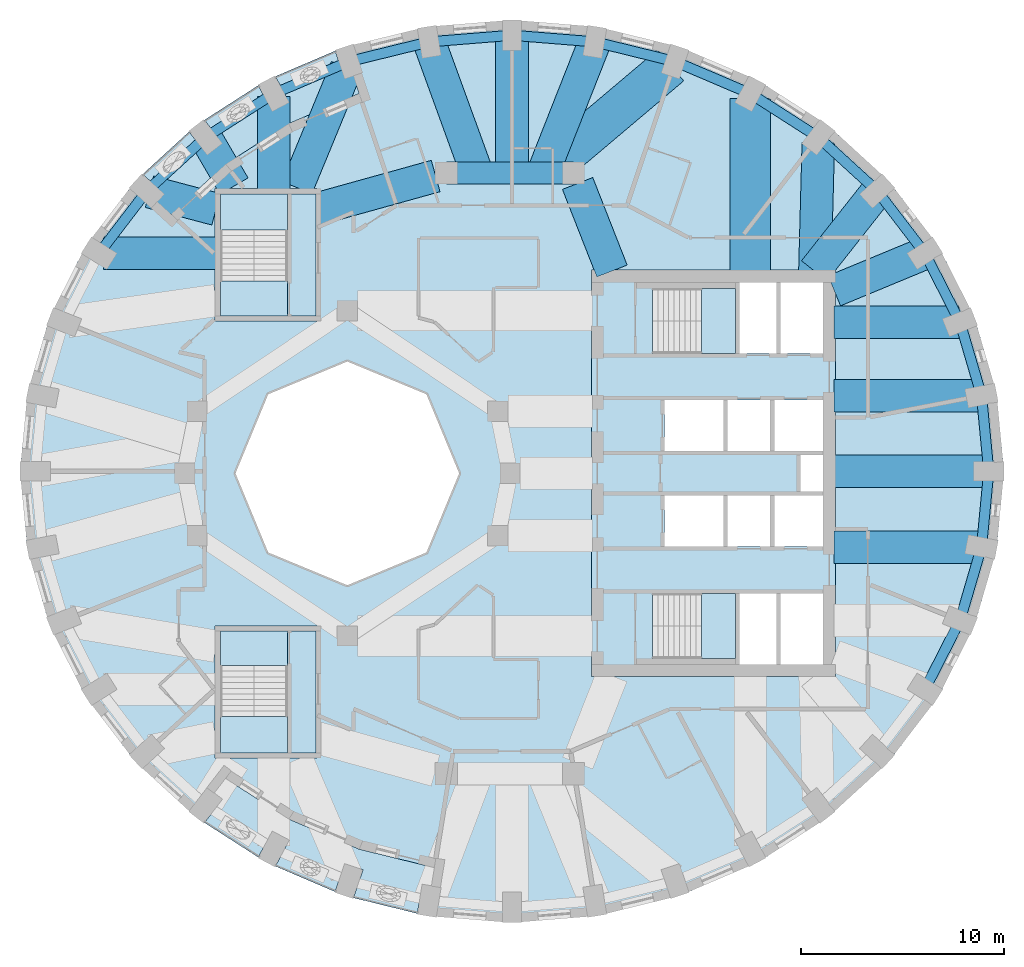
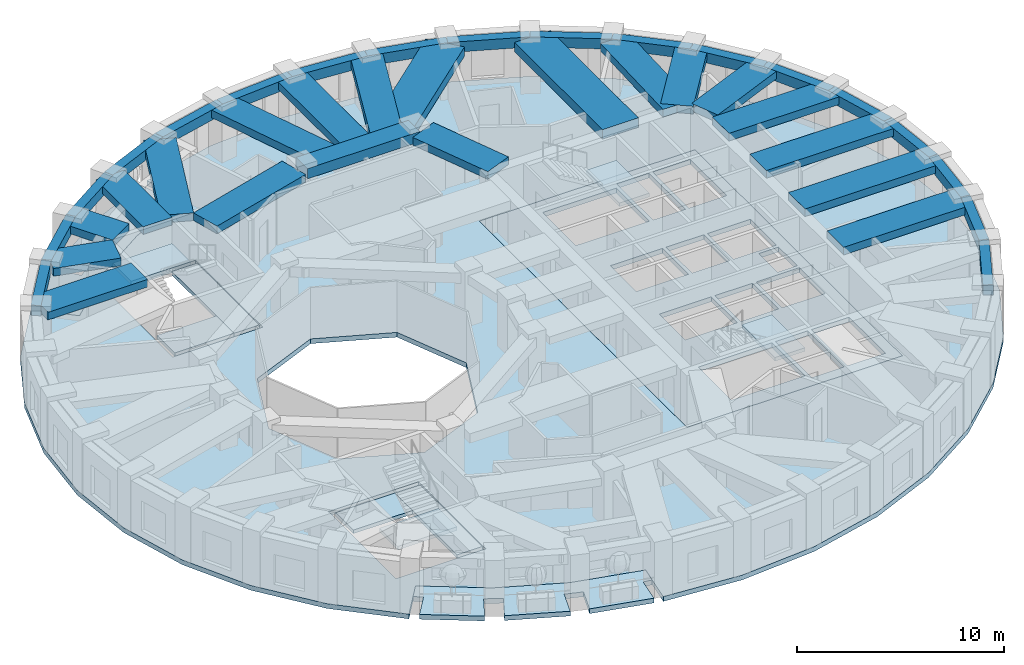
# One storey, part 2 of 12: 38 beams, 12 slabs, 4 elements without a shape of their own.
"""IFC4 building model written with IfcOpenShell, lengths in metres."""

import ifcopenshell
import ifcopenshell.guid

model = None  # the IFC model being written
_history = None  # IfcOwnerHistory: only IFC2X3 demands one
_inside = {}  # id of a spatial element -> (the spatial element, [elements in it])
_under = {}  # id of a project, library or spatial element -> (it, [spatial elements below it])
_declared = {}  # id of a project -> (the project, [libraries it declares])
_typed = {}  # id of a type object -> (the type object, [elements of that type])
_made_of = {}  # id of a material, layer set ... -> (it, [elements and type objects made of it])


def new_model(schema):
    """Start an empty IFC model of exactly this schema.

    Asked for "IFC4X3", IfcOpenShell would pick the latest addendum, in which some entities
    have other attributes; the version numbers below select the first issue.
    IFC2X3 requires an IfcOwnerHistory on every rooted entity: one is made here for all.
    """
    global model, _history
    if schema == "IFC4X3":
        model = ifcopenshell.file(schema_version=(4, 3, 0, 0))
    else:
        model = ifcopenshell.file(schema=schema)
    _inside.clear()
    _under.clear()
    _declared.clear()
    _typed.clear()
    _made_of.clear()
    _history = None
    if model.schema == "IFC2X3":
        org = make("IfcOrganization", Name="unknown")
        user = make(
            "IfcPersonAndOrganization",
            ThePerson=make("IfcPerson", FamilyName="unknown"),
            TheOrganization=org,
        )
        app = make(
            "IfcApplication",
            ApplicationDeveloper=org,
            Version="unknown",
            ApplicationFullName="unknown",
            ApplicationIdentifier="unknown",
        )
        _history = make(
            "IfcOwnerHistory",
            OwningUser=user,
            OwningApplication=app,
            ChangeAction="ADDED",
            CreationDate=0,
        )
    return model


def make(cls, **values):
    """One entity of the class cls with the attributes given. An attribute that is None is left unset."""
    return model.create_entity(
        cls, **{name: value for name, value in values.items() if value is not None}
    )


def rooted(cls, **values):
    """An entity with a GlobalId (a new one), such as an element, a storey or a relation."""
    return make(cls, GlobalId=ifcopenshell.guid.new(), OwnerHistory=_history, **values)


def si_unit(unit_type, name, prefix=None):
    """IfcSIUnit, for example si_unit("LENGTHUNIT", "METRE", prefix="MILLI")."""
    return make("IfcSIUnit", UnitType=unit_type, Prefix=prefix, Name=name)


def assignment(units):
    """IfcUnitAssignment: the units of a project."""
    return None if units is None else make("IfcUnitAssignment", Units=units)


def point(xyz):
    """IfcCartesianPoint."""
    return None if xyz is None else make("IfcCartesianPoint", Coordinates=xyz)


def direction(xyz):
    """IfcDirection."""
    return None if xyz is None else make("IfcDirection", DirectionRatios=xyz)


def frame(location, z_axis=None, x_axis=None):
    """IfcAxis2Placement3D, a coordinate frame: its origin and axes. An axis left out is left unset."""
    return make(
        "IfcAxis2Placement3D",
        Location=point(location),
        Axis=direction(z_axis),
        RefDirection=direction(x_axis),
    )


def frame_2d(location, x_axis=None):
    """IfcAxis2Placement2D, a coordinate frame in the plane: its origin and x axis."""
    return make(
        "IfcAxis2Placement2D", Location=point(location), RefDirection=direction(x_axis)
    )


def origin():
    """The frame at (0, 0, 0) with its axes left unset."""
    return frame((0.0, 0.0, 0.0))


def origin_2d():
    """The frame at (0, 0) in the plane with its x axis left unset."""
    return frame_2d((0.0, 0.0))


def place(relative_to, where):
    """IfcLocalPlacement: puts the frame where relative to a parent placement (None: the world)."""
    return make(
        "IfcLocalPlacement", PlacementRelTo=relative_to, RelativePlacement=where
    )


def context(
    kind, dimensions, precision=None, world=None, true_north=None, identifier=None
):
    """IfcGeometricRepresentationContext, for example the 3D "Model" context."""
    return make(
        "IfcGeometricRepresentationContext",
        ContextIdentifier=identifier,
        ContextType=kind,
        CoordinateSpaceDimension=dimensions,
        Precision=precision,
        WorldCoordinateSystem=world,
        TrueNorth=true_north,
    )


def subcontext(parent, identifier, kind, view, scale=None):
    """IfcGeometricRepresentationSubContext, for example "Body" below "Model"."""
    return make(
        "IfcGeometricRepresentationSubContext",
        ContextIdentifier=identifier,
        ContextType=kind,
        ParentContext=parent,
        TargetScale=scale,
        TargetView=view,
    )


def project(units=None, contexts=None):
    """IfcProject with its units and contexts."""
    return rooted(
        "IfcProject",
        Name="project",
        RepresentationContexts=contexts,
        UnitsInContext=assignment(units),
    )


def spatial(cls, under=None, at=None, **own):
    """A site, building, storey or space (cls), placed at a placement, below another one or the project."""
    s = rooted(cls, ObjectPlacement=at, **own)
    if under is not None:
        _under.setdefault(under.id(), (under, []))[1].append(s)
    return s


def polyline(points):
    """IfcPolyline through the points."""
    return make("IfcPolyline", Points=[point(p) for p in points])


def profile(cls, at=None, kind="AREA", **sizes):
    """A parametric profile (cls). Its sizes go by their IFC names, for example OverallWidth=200.0."""
    return make(cls, ProfileType=kind, Position=at, **sizes)


def rectangle(**sizes):
    """IfcRectangleProfileDef."""
    return profile("IfcRectangleProfileDef", **sizes)


def outline(outer, holes=None, kind="AREA"):
    """IfcArbitraryClosedProfileDef: a profile drawn as a closed curve; with holes, ...WithVoids."""
    if holes is None:
        return make("IfcArbitraryClosedProfileDef", ProfileType=kind, OuterCurve=outer)
    return make(
        "IfcArbitraryProfileDefWithVoids",
        ProfileType=kind,
        OuterCurve=outer,
        InnerCurves=holes,
    )


def extrude(swept, where, along, depth):
    """IfcExtrudedAreaSolid: the profile swept, set in the frame where, extruded along a direction by depth."""
    return make(
        "IfcExtrudedAreaSolid",
        SweptArea=swept,
        Position=where,
        ExtrudedDirection=direction(along),
        Depth=depth,
    )


def shape(context_of_items, identifier, shape_type, items):
    """IfcShapeRepresentation: the items that make up one representation, for example the "Body"."""
    return make(
        "IfcShapeRepresentation",
        ContextOfItems=context_of_items,
        RepresentationIdentifier=identifier,
        RepresentationType=shape_type,
        Items=items,
    )


def material(Name=None, Category=None):
    """IfcMaterial."""
    return make("IfcMaterial", Name=Name, Category=Category)


def layer(
    of_material, thickness, ventilated=None, Name=None, Category=None, Priority=None
):
    """IfcMaterialLayer: one layer of a wall or slab, of a material (None: an air gap)."""
    return make(
        "IfcMaterialLayer",
        Material=of_material,
        LayerThickness=thickness,
        IsVentilated=ventilated,
        Name=Name,
        Category=Category,
        Priority=Priority,
    )


def layer_set(layers, Name=None):
    """IfcMaterialLayerSet."""
    return make("IfcMaterialLayerSet", MaterialLayers=layers, LayerSetName=Name)


def material_profile(
    of_material, cross_section, Name=None, Category=None, Priority=None
):
    """IfcMaterialProfile: a cross section and its material."""
    return make(
        "IfcMaterialProfile",
        Name=Name,
        Material=of_material,
        Profile=cross_section,
        Priority=Priority,
        Category=Category,
    )


def profile_set(profiles, Name=None, composite=None):
    """IfcMaterialProfileSet."""
    return make(
        "IfcMaterialProfileSet",
        Name=Name,
        MaterialProfiles=profiles,
        CompositeProfile=composite,
    )


def made_of(thing, what):
    """Note that an element or type object is made of a material, layer set ...; save() writes the relation."""
    if what is not None:
        _made_of.setdefault(what.id(), (what, []))[1].append(thing)
    return thing


def type_object(cls, material=None, **own):
    """A type object (cls), such as IfcWallType, which elements share."""
    return made_of(rooted(cls, **own), material)


def element(
    cls,
    number,
    at=None,
    inside=None,
    cuts=None,
    type_object=None,
    material=None,
    context=None,
    identifier="Body",
    shape_type=None,
    held_by="IfcProductDefinitionShape",
    body=None,
    shapes=None,
    **own,
):
    """One element of the class cls, such as IfcWall. Its Tag is "e" and its number.

    at: its placement. inside: the storey or other place that contains it. cuts: it is an
    opening in that element (IfcRelVoidsElement). A single representation is given by context,
    identifier, shape_type and body (its items); several are given by shapes. held_by: the class
    of the entity that holds the representations. save() writes the other relations.
    """
    e = rooted(cls, Tag="e%d" % number, ObjectPlacement=at, **own)
    if body is not None:
        shapes = [shape(context, identifier, shape_type, body)]
    if shapes is not None:
        e.Representation = make(held_by, Representations=shapes)
    if inside is not None:
        _inside.setdefault(inside.id(), (inside, []))[1].append(e)
    if cuts is not None:
        rooted(
            "IfcRelVoidsElement", RelatingBuildingElement=cuts, RelatedOpeningElement=e
        )
    if type_object is not None:
        _typed.setdefault(type_object.id(), (type_object, []))[1].append(e)
    return made_of(e, material)


def aggregate(whole, parts):
    """IfcRelAggregates: a whole, such as a stair, and the parts it consists of."""
    return rooted("IfcRelAggregates", RelatingObject=whole, RelatedObjects=parts)


def save(model, path):
    """Write the relations noted so far, then the file.

    IfcRelAggregates (storeys below a building ...), IfcRelContainedInSpatialStructure (elements
    in a storey), IfcRelDefinesByType, IfcRelAssociatesMaterial and IfcRelDeclares: one each for
    every whole, place, type object, material and project.
    """
    for whole, parts in _under.values():
        aggregate(whole, parts)
    for where, things in _inside.values():
        rooted(
            "IfcRelContainedInSpatialStructure",
            RelatedElements=things,
            RelatingStructure=where,
        )
    for kind, things in _typed.values():
        rooted("IfcRelDefinesByType", RelatedObjects=things, RelatingType=kind)
    for what, things in _made_of.values():
        rooted("IfcRelAssociatesMaterial", RelatedObjects=things, RelatingMaterial=what)
    for by, libraries in _declared.values():
        rooted("IfcRelDeclares", RelatingContext=by, RelatedDefinitions=libraries)
    model.write(path)


model = new_model("IFC4")

# Units and contexts
model_context = context("Model", 3, precision=1e-05, world=origin(), true_north=direction((0.0, 1.0)))
body_context = subcontext(model_context, "Body", "Model", "MODEL_VIEW")
ifc_project = project(units=[si_unit("LENGTHUNIT", "METRE"), si_unit("AREAUNIT", "SQUARE_METRE"), si_unit("VOLUMEUNIT", "CUBIC_METRE"), si_unit("PLANEANGLEUNIT", "RADIAN"), si_unit("MASSUNIT", "GRAM", prefix="KILO")], contexts=[model_context])

# Site, building, storey
site_placement = place(None, origin())
site = spatial("IfcSite", under=ifc_project, at=site_placement, CompositionType="ELEMENT")
building_placement = place(site_placement, origin())
building = spatial("IfcBuilding", under=site, at=building_placement, Name="Taillehof Tower", CompositionType="ELEMENT")
storey_placement = place(building_placement, frame((0.0, 0.0, 164.89990234375)))
storey = spatial("IfcBuildingStorey", under=building, at=storey_placement, Name="L46", CompositionType="ELEMENT", Elevation=164.89990234375)

# Beams
ifc_material_1 = material(Name="Concrete C50/60", Category="concrete")
ifc_material_profile_1 = material_profile(ifc_material_1, rectangle(XDim=1.10009765625, YDim=0.60009765625, at=origin_2d()), Name="RC 1100x600")
ifc_profile_set_1 = profile_set([ifc_material_profile_1], Name="Concrete C50/60")
beam_type_1 = type_object("IfcBeamType", Name="Mid-ring beam C50/60 1100x600", PredefinedType="BEAM", material=ifc_profile_set_1)
beam_1_placement = place(storey_placement, frame((3.125732421875, 14.772216796875, 2.72021484375), z_axis=(-1.0, 0.0, 0.0), x_axis=(0.0, -1.0, 0.0)))
element("IfcBeam", 1, at=beam_1_placement, inside=storey, type_object=beam_type_1, Name="Mid-ring beam MB01", PredefinedType="BEAM", context=body_context, shape_type="SweptSolid", body=[
    extrude(rectangle(XDim=1.10009765625, YDim=0.60009765625, at=origin_2d()), origin(), (0.0, 0.0, 1.0), 6.25146484375),
])
ifc_material_2 = material(Name="Concrete C50/60", Category="concrete")
ifc_material_profile_2 = material_profile(ifc_material_2, rectangle(XDim=1.60009765625, YDim=0.449951171875, at=origin_2d()), Name="RC 1600x450")
ifc_profile_set_2 = profile_set([ifc_material_profile_2], Name="Concrete C50/60")
beam_type_2 = type_object("IfcBeamType", Name="Radial band beam C50/60 1600x450", PredefinedType="BEAM", material=ifc_profile_set_2)
beam_2_placement = place(storey_placement, frame((23.550048828125, 0.10009765625, 2.795166015625), z_axis=(-1.0, 0.0, 0.0), x_axis=(0.0, -1.0, 0.0)))
element("IfcBeam", 2, at=beam_2_placement, inside=storey, type_object=beam_type_2, Name="Radial band beam RB01", PredefinedType="BEAM", context=body_context, shape_type="SweptSolid", body=[
    extrude(rectangle(XDim=1.60009765625, YDim=0.449951171875, at=origin_2d()), origin(), (0.0, 0.0, 1.0), 7.60009765625),
])
beam_3_placement = place(storey_placement, frame((23.19384765625, 3.82470703125, 2.795166015625), z_axis=(-1.0, 0.0, 0.0), x_axis=(0.0, -1.0, 0.0)))
element("IfcBeam", 3, at=beam_3_placement, inside=storey, type_object=beam_type_2, Name="Radial band beam RB02", PredefinedType="BEAM", context=body_context, shape_type="SweptSolid", body=[
    extrude(rectangle(XDim=1.60009765625, YDim=0.449951171875, at=origin_2d()), origin(), (0.0, 0.0, 1.0), 7.243896484375),
])
beam_4_placement = place(storey_placement, frame((22.08642578125, 7.436279296875, 2.795166015625), z_axis=(-1.0, 0.0, 0.0), x_axis=(0.0, -1.0, 0.0)))
element("IfcBeam", 4, at=beam_4_placement, inside=storey, type_object=beam_type_2, Name="Radial band beam RB03", PredefinedType="BEAM", context=body_context, shape_type="SweptSolid", body=[
    extrude(rectangle(XDim=1.60009765625, YDim=0.449951171875, at=origin_2d()), origin(), (0.0, 0.0, 1.0), 6.136474609375),
])
beam_5_placement = place(storey_placement, frame((20.408203125, 10.824951171875, 2.795166015625), z_axis=(-0.92395697655, -0.382496412381, 0.0), x_axis=(0.382496412381, -0.92395697655, 0.0)))
element("IfcBeam", 5, at=beam_5_placement, inside=storey, type_object=beam_type_2, Name="Radial band beam RB04", PredefinedType="BEAM", context=body_context, shape_type="SweptSolid", body=[
    extrude(rectangle(XDim=1.60009765625, YDim=0.449951171875, at=origin_2d()), origin(), (0.0, 0.0, 1.0), 4.821044921875),
])
beam_6_placement = place(storey_placement, frame((18.063720703125, 13.8876953125, 2.795166015625), z_axis=(-0.618961692467, -0.785421175713, 0.0), x_axis=(0.785421175713, -0.618961692467, 0.0)))
element("IfcBeam", 6, at=beam_6_placement, inside=storey, type_object=beam_type_2, Name="Radial band beam RB05", PredefinedType="BEAM", context=body_context, shape_type="SweptSolid", body=[
    extrude(rectangle(XDim=1.60009765625, YDim=0.449951171875, at=origin_2d()), origin(), (0.0, 0.0, 1.0), 4.999755859375),
])
beam_7_placement = place(storey_placement, frame((15.166259765625, 16.259765625, 2.795166015625), z_axis=(-0.026533506529, -0.999647924537, 0.0), x_axis=(0.999647924537, -0.026533506529, 0.0)))
element("IfcBeam", 7, at=beam_7_placement, inside=storey, type_object=beam_type_2, Name="Radial band beam RB06", PredefinedType="BEAM", context=body_context, shape_type="SweptSolid", body=[
    extrude(rectangle(XDim=1.60009765625, YDim=0.449951171875, at=origin_2d()), origin(), (0.0, 0.0, 1.0), 6.31201171875),
])
beam_8_placement = place(storey_placement, frame((4.172119140625, 21.22412109375, 2.795166015625), z_axis=(-0.36711444375, -0.930175781877, 0.0), x_axis=(0.930175781877, -0.36711444375, 0.0)))
element("IfcBeam", 8, at=beam_8_placement, inside=storey, type_object=beam_type_2, Name="Radial band beam RB09", PredefinedType="BEAM", context=body_context, shape_type="SweptSolid", body=[
    extrude(rectangle(XDim=1.60009765625, YDim=0.449951171875, at=origin_2d()), origin(), (0.0, 0.0, 1.0), 6.936279296875),
])
beam_9_placement = place(storey_placement, frame((0.10009765625, 21.550048828125, 2.795166015625), z_axis=(0.0, -1.0, 0.0), x_axis=(1.0, 0.0, 0.0)))
element("IfcBeam", 9, at=beam_9_placement, inside=storey, type_object=beam_type_2, Name="Radial band beam RB10", PredefinedType="BEAM", context=body_context, shape_type="SweptSolid", body=[
    extrude(rectangle(XDim=1.60009765625, YDim=0.449951171875, at=origin_2d()), origin(), (0.0, 0.0, 1.0), 6.77783203125),
])
beam_10_placement = place(storey_placement, frame((-3.97216796875, 21.22412109375, 2.795166015625), z_axis=(0.341780181607, -0.939779925015, 0.0), x_axis=(0.939779925015, 0.341780181607, 0.0)))
element("IfcBeam", 10, at=beam_10_placement, inside=storey, type_object=beam_type_2, Name="Radial band beam RB11", PredefinedType="BEAM", context=body_context, shape_type="SweptSolid", body=[
    extrude(rectangle(XDim=1.60009765625, YDim=0.449951171875, at=origin_2d()), origin(), (0.0, 0.0, 1.0), 6.865234375),
])
beam_11_placement = place(storey_placement, frame((-8.04443359375, 19.95556640625, 2.795166015625), z_axis=(-0.381176869418, -0.924502133162, 0.0), x_axis=(0.924502133162, -0.381176869418, 0.0)))
element("IfcBeam", 11, at=beam_11_placement, inside=storey, type_object=beam_type_2, Name="Radial band beam RB12", PredefinedType="BEAM", context=body_context, shape_type="SweptSolid", body=[
    extrude(rectangle(XDim=1.60009765625, YDim=0.449951171875, at=origin_2d()), origin(), (0.0, 0.0, 1.0), 6.382568359375),
])
beam_12_placement = place(storey_placement, frame((-11.625, 18.536376953125, 2.795166015625), z_axis=(0.0, -1.0, 0.0), x_axis=(1.0, 0.0, 0.0)))
element("IfcBeam", 12, at=beam_12_placement, inside=storey, type_object=beam_type_2, Name="Radial band beam RB13", PredefinedType="BEAM", context=body_context, shape_type="SweptSolid", body=[
    extrude(rectangle(XDim=1.60009765625, YDim=0.449951171875, at=origin_2d()), origin(), (0.0, 0.0, 1.0), 4.58642578125),
])
beam_13_placement = place(storey_placement, frame((-14.973388671875, 16.53173828125, 2.795166015625), z_axis=(0.502991419937, -0.864291404255, 0.0), x_axis=(0.864291404255, 0.502991419937, 0.0)))
element("IfcBeam", 13, at=beam_13_placement, inside=storey, type_object=beam_type_2, Name="Radial band beam RB14", PredefinedType="BEAM", context=body_context, shape_type="SweptSolid", body=[
    extrude(rectangle(XDim=1.60009765625, YDim=0.449951171875, at=origin_2d()), origin(), (0.0, 0.0, 1.0), 2.779296875),
])
beam_14_placement = place(storey_placement, frame((-17.72998046875, 13.8525390625, 2.795166015625), z_axis=(0.966882543987, -0.255221758736, 0.0), x_axis=(0.255221758736, 0.966882543987, 0.0)))
element("IfcBeam", 14, at=beam_14_placement, inside=storey, type_object=beam_type_2, Name="Radial band beam RB15", PredefinedType="BEAM", context=body_context, shape_type="SweptSolid", body=[
    extrude(rectangle(XDim=1.60009765625, YDim=0.449951171875, at=origin_2d()), origin(), (0.0, 0.0, 1.0), 3.381591796875),
])
beam_15_placement = place(storey_placement, frame((-19.9990234375, 10.824951171875, 2.795166015625), z_axis=(1.0, 0.0, 0.0), x_axis=(0.0, 1.0, 0.0)))
element("IfcBeam", 15, at=beam_15_placement, inside=storey, type_object=beam_type_2, Name="Radial band beam RB16", PredefinedType="BEAM", context=body_context, shape_type="SweptSolid", body=[
    extrude(rectangle(XDim=1.60009765625, YDim=0.449951171875, at=origin_2d()), origin(), (0.0, 0.0, 1.0), 5.549072265625),
])
beam_16_placement = place(storey_placement, frame((23.19384765625, -3.624755859375, 2.795166015625), z_axis=(-1.0, 0.0, 0.0), x_axis=(0.0, -1.0, 0.0)))
element("IfcBeam", 16, at=beam_16_placement, inside=storey, type_object=beam_type_2, Name="Radial band beam RB36", PredefinedType="BEAM", context=body_context, shape_type="SweptSolid", body=[
    extrude(rectangle(XDim=1.60009765625, YDim=0.449951171875, at=origin_2d()), origin(), (0.0, 0.0, 1.0), 7.243896484375),
])
beam_17_placement = place(storey_placement, frame((3.32666015625, 14.26025390625, 2.795166015625), z_axis=(0.365588707223, -0.930776502255, 0.0), x_axis=(0.930776502255, 0.365588707223, 0.0)))
element("IfcBeam", 17, at=beam_17_placement, inside=storey, type_object=beam_type_2, Name="Inner band beam IB205", PredefinedType="BEAM", context=body_context, shape_type="SweptSolid", body=[
    extrude(rectangle(XDim=1.60009765625, YDim=0.449951171875, at=origin_2d()), origin(), (0.0, 0.0, 1.0), 4.627197265625),
])
beam_18_placement = place(storey_placement, frame((-3.655517578125, 14.624755859375, 2.795166015625), z_axis=(-0.963459369536, -0.267854518821, 0.0), x_axis=(0.267854518821, -0.963459369536, 0.0)))
element("IfcBeam", 18, at=beam_18_placement, inside=storey, type_object=beam_type_2, Name="Inner band beam IB206", PredefinedType="BEAM", context=body_context, shape_type="SweptSolid", body=[
    extrude(rectangle(XDim=1.60009765625, YDim=0.449951171875, at=origin_2d()), origin(), (0.0, 0.0, 1.0), 6.096923828125),
])
ifc_material_3 = material(Name="Concrete C50/60", Category="concrete")
ifc_material_profile_3 = material_profile(ifc_material_3, rectangle(XDim=2.0, YDim=0.550048828125, at=origin_2d()), Name="RC 2000x550")
ifc_profile_set_3 = profile_set([ifc_material_profile_3], Name="Concrete C50/60")
beam_type_3 = type_object("IfcBeamType", Name="Radial band beam C50/60 2000x550", PredefinedType="BEAM", material=ifc_profile_set_3)
beam_19_placement = place(storey_placement, frame((11.824951171875, 18.430908203125, 2.7451171875), z_axis=(0.0, -1.0, 0.0), x_axis=(1.0, 0.0, 0.0)))
element("IfcBeam", 19, at=beam_19_placement, inside=storey, type_object=beam_type_3, Name="Radial band beam RB07", PredefinedType="BEAM", context=body_context, shape_type="SweptSolid", body=[
    extrude(rectangle(XDim=2.0, YDim=0.550048828125, at=origin_2d()), origin(), (0.0, 0.0, 1.0), 8.48095703125),
])
beam_20_placement = place(storey_placement, frame((7.900390625, 20.070556640625, 2.7451171875), z_axis=(-0.764038060196, -0.645171173079, 0.0), x_axis=(0.645171173079, -0.764038060196, 0.0)))
element("IfcBeam", 20, at=beam_20_placement, inside=storey, type_object=beam_type_3, Name="Radial band beam RB08", PredefinedType="BEAM", context=body_context, shape_type="SweptSolid", body=[
    extrude(rectangle(XDim=2.0, YDim=0.550048828125, at=origin_2d()), origin(), (0.0, 0.0, 1.0), 7.880859375),
])
ifc_material_4 = material(Name="Concrete C50/60", Category="concrete")
ifc_material_profile_4 = material_profile(ifc_material_4, rectangle(XDim=0.5, YDim=0.60009765625, at=origin_2d()), Name="RC 500x600")
ifc_profile_set_4 = profile_set([ifc_material_profile_4], Name="Concrete C50/60")
beam_type_4 = type_object("IfcBeamType", Name="Spandrel beam C50/60 500x600", PredefinedType="SPANDREL", material=ifc_profile_set_4)
beam_21_placement = place(storey_placement, frame((23.550048828125, 0.10009765625, 2.72021484375), z_axis=(-0.095200147056, 0.995458151808, 0.0), x_axis=(-0.995458151808, -0.095200147056, 0.0)))
element("IfcBeam", 21, at=beam_21_placement, inside=storey, type_object=beam_type_4, Name="Spandrel beam SB01", PredefinedType="SPANDREL", context=body_context, shape_type="SweptSolid", body=[
    extrude(rectangle(XDim=0.5, YDim=0.60009765625, at=origin_2d()), origin(), (0.0, 0.0, 1.0), 3.74169921875),
])
beam_22_placement = place(storey_placement, frame((23.19384765625, 3.82470703125, 2.72021484375), z_axis=(-0.281158162606, 0.959661444261, 0.0), x_axis=(-0.959661444261, -0.281158162606, 0.0)))
element("IfcBeam", 22, at=beam_22_placement, inside=storey, type_object=beam_type_4, Name="Spandrel beam SB02", PredefinedType="SPANDREL", context=body_context, shape_type="SweptSolid", body=[
    extrude(rectangle(XDim=0.5, YDim=0.60009765625, at=origin_2d()), origin(), (0.0, 0.0, 1.0), 3.763427734375),
])
beam_23_placement = place(storey_placement, frame((22.1357421875, 7.436279296875, 2.72021484375), z_axis=(-0.454183451696, 0.890908183937, 0.0), x_axis=(-0.890908183937, -0.454183451696, 0.0)))
element("IfcBeam", 23, at=beam_23_placement, inside=storey, type_object=beam_type_4, Name="Spandrel beam SB03", PredefinedType="SPANDREL", context=body_context, shape_type="SweptSolid", body=[
    extrude(rectangle(XDim=0.5, YDim=0.60009765625, at=origin_2d()), origin(), (0.0, 0.0, 1.0), 3.8037109375),
])
beam_24_placement = place(storey_placement, frame((20.408203125, 10.824951171875, 2.72021484375), z_axis=(-0.60784004271, 0.794059495553, 0.0), x_axis=(-0.794059495553, -0.60784004271, 0.0)))
element("IfcBeam", 24, at=beam_24_placement, inside=storey, type_object=beam_type_4, Name="Spandrel beam SB04", PredefinedType="SPANDREL", context=body_context, shape_type="SweptSolid", body=[
    extrude(rectangle(XDim=0.5, YDim=0.60009765625, at=origin_2d()), origin(), (0.0, 0.0, 1.0), 3.857177734375),
])
beam_25_placement = place(storey_placement, frame((18.063720703125, 13.8876953125, 2.72021484375), z_axis=(-0.737849657471, 0.674965097594, 0.0), x_axis=(-0.674965097594, -0.737849657471, 0.0)))
element("IfcBeam", 25, at=beam_25_placement, inside=storey, type_object=beam_type_4, Name="Spandrel beam SB05", PredefinedType="SPANDREL", context=body_context, shape_type="SweptSolid", body=[
    extrude(rectangle(XDim=0.5, YDim=0.60009765625, at=origin_2d()), origin(), (0.0, 0.0, 1.0), 3.917236328125),
])
beam_26_placement = place(storey_placement, frame((15.17333984375, 16.53173828125, 2.72021484375), z_axis=(-0.842092940799, 0.53933243835, 0.0), x_axis=(-0.53933243835, -0.842092940799, 0.0)))
element("IfcBeam", 26, at=beam_26_placement, inside=storey, type_object=beam_type_4, Name="Spandrel beam SB06", PredefinedType="SPANDREL", context=body_context, shape_type="SweptSolid", body=[
    extrude(rectangle(XDim=0.5, YDim=0.60009765625, at=origin_2d()), origin(), (0.0, 0.0, 1.0), 3.976318359375),
])
beam_27_placement = place(storey_placement, frame((11.824951171875, 18.67626953125, 2.72021484375), z_axis=(-0.919827173659, 0.392323808351, 0.0), x_axis=(-0.392323808351, -0.919827173659, 0.0)))
element("IfcBeam", 27, at=beam_27_placement, inside=storey, type_object=beam_type_4, Name="Spandrel beam SB07", PredefinedType="SPANDREL", context=body_context, shape_type="SweptSolid", body=[
    extrude(rectangle(XDim=0.5, YDim=0.60009765625, at=origin_2d()), origin(), (0.0, 0.0, 1.0), 4.027587890625),
])
beam_28_placement = place(storey_placement, frame((8.120361328125, 20.25634765625, 2.72021484375), z_axis=(-0.971248584585, 0.238067610023, 0.0), x_axis=(-0.238067610023, -0.971248584585, 0.0)))
element("IfcBeam", 28, at=beam_28_placement, inside=storey, type_object=beam_type_4, Name="Spandrel beam SB08", PredefinedType="SPANDREL", context=body_context, shape_type="SweptSolid", body=[
    extrude(rectangle(XDim=0.5, YDim=0.60009765625, at=origin_2d()), origin(), (0.0, 0.0, 1.0), 4.065185546875),
])
beam_29_placement = place(storey_placement, frame((4.172119140625, 21.22412109375, 2.72021484375), z_axis=(-0.996812047205, 0.079785603634, 0.0), x_axis=(-0.079785603634, -0.996812047205, 0.0)))
element("IfcBeam", 29, at=beam_29_placement, inside=storey, type_object=beam_type_4, Name="Spandrel beam SB09", PredefinedType="SPANDREL", context=body_context, shape_type="SweptSolid", body=[
    extrude(rectangle(XDim=0.5, YDim=0.60009765625, at=origin_2d()), origin(), (0.0, 0.0, 1.0), 4.0849609375),
])
beam_30_placement = place(storey_placement, frame((0.10009765625, 21.550048828125, 2.72021484375), z_axis=(-0.996812427616, -0.079780850771, 0.0), x_axis=(0.079780850771, -0.996812427616, 0.0)))
element("IfcBeam", 30, at=beam_30_placement, inside=storey, type_object=beam_type_4, Name="Spandrel beam SB10", PredefinedType="SPANDREL", context=body_context, shape_type="SweptSolid", body=[
    extrude(rectangle(XDim=0.5, YDim=0.60009765625, at=origin_2d()), origin(), (0.0, 0.0, 1.0), 4.085205078125),
])
beam_31_placement = place(storey_placement, frame((-3.97216796875, 21.22412109375, 2.72021484375), z_axis=(-0.971248584585, -0.238067610023, 0.0), x_axis=(0.238067610023, -0.971248584585, 0.0)))
element("IfcBeam", 31, at=beam_31_placement, inside=storey, type_object=beam_type_4, Name="Spandrel beam SB11", PredefinedType="SPANDREL", context=body_context, shape_type="SweptSolid", body=[
    extrude(rectangle(XDim=0.5, YDim=0.60009765625, at=origin_2d()), origin(), (0.0, 0.0, 1.0), 4.065185546875),
])
beam_32_placement = place(storey_placement, frame((-7.92041015625, 20.25634765625, 2.72021484375), z_axis=(-0.919827173659, -0.392323808351, 0.0), x_axis=(0.392323808351, -0.919827173659, 0.0)))
element("IfcBeam", 32, at=beam_32_placement, inside=storey, type_object=beam_type_4, Name="Spandrel beam SB12", PredefinedType="SPANDREL", context=body_context, shape_type="SweptSolid", body=[
    extrude(rectangle(XDim=0.5, YDim=0.60009765625, at=origin_2d()), origin(), (0.0, 0.0, 1.0), 4.027587890625),
])
beam_33_placement = place(storey_placement, frame((-11.625, 18.67626953125, 2.72021484375), z_axis=(-0.842092940799, -0.53933243835, 0.0), x_axis=(0.53933243835, -0.842092940799, 0.0)))
element("IfcBeam", 33, at=beam_33_placement, inside=storey, type_object=beam_type_4, Name="Spandrel beam SB13", PredefinedType="SPANDREL", context=body_context, shape_type="SweptSolid", body=[
    extrude(rectangle(XDim=0.5, YDim=0.60009765625, at=origin_2d()), origin(), (0.0, 0.0, 1.0), 3.976318359375),
])
beam_34_placement = place(storey_placement, frame((-14.973388671875, 16.53173828125, 2.72021484375), z_axis=(-0.737849657471, -0.674965097594, 0.0), x_axis=(0.674965097594, -0.737849657471, 0.0)))
element("IfcBeam", 34, at=beam_34_placement, inside=storey, type_object=beam_type_4, Name="Spandrel beam SB14", PredefinedType="SPANDREL", context=body_context, shape_type="SweptSolid", body=[
    extrude(rectangle(XDim=0.5, YDim=0.60009765625, at=origin_2d()), origin(), (0.0, 0.0, 1.0), 3.917236328125),
])
beam_35_placement = place(storey_placement, frame((-17.86376953125, 13.8876953125, 2.72021484375), z_axis=(-0.60784004271, -0.794059495553, 0.0), x_axis=(0.794059495553, -0.60784004271, 0.0)))
element("IfcBeam", 35, at=beam_35_placement, inside=storey, type_object=beam_type_4, Name="Spandrel beam SB15", PredefinedType="SPANDREL", context=body_context, shape_type="SweptSolid", body=[
    extrude(rectangle(XDim=0.5, YDim=0.60009765625, at=origin_2d()), origin(), (0.0, 0.0, 1.0), 3.857177734375),
])
beam_36_placement = place(storey_placement, frame((20.408203125, -10.625, 2.72021484375), z_axis=(0.454183451696, 0.890908183937, 0.0), x_axis=(-0.890908183937, 0.454183451696, 0.0)))
element("IfcBeam", 36, at=beam_36_placement, inside=storey, type_object=beam_type_4, Name="Spandrel beam SB34", PredefinedType="SPANDREL", context=body_context, shape_type="SweptSolid", body=[
    extrude(rectangle(XDim=0.5, YDim=0.60009765625, at=origin_2d()), origin(), (0.0, 0.0, 1.0), 3.8037109375),
])
beam_37_placement = place(storey_placement, frame((22.1357421875, -7.236328125, 2.72021484375), z_axis=(0.281158162606, 0.959661444261, 0.0), x_axis=(-0.959661444261, 0.281158162606, 0.0)))
element("IfcBeam", 37, at=beam_37_placement, inside=storey, type_object=beam_type_4, Name="Spandrel beam SB35", PredefinedType="SPANDREL", context=body_context, shape_type="SweptSolid", body=[
    extrude(rectangle(XDim=0.5, YDim=0.60009765625, at=origin_2d()), origin(), (0.0, 0.0, 1.0), 3.763427734375),
])
beam_38_placement = place(storey_placement, frame((23.19384765625, -3.624755859375, 2.72021484375), z_axis=(0.095193963834, 0.995458743118, 0.0), x_axis=(-0.995458743118, 0.095193963834, 0.0)))
element("IfcBeam", 38, at=beam_38_placement, inside=storey, type_object=beam_type_4, Name="Spandrel beam SB36", PredefinedType="SPANDREL", context=body_context, shape_type="SweptSolid", body=[
    extrude(rectangle(XDim=0.5, YDim=0.60009765625, at=origin_2d()), origin(), (0.0, 0.0, 1.0), 3.741943359375),
])

# Slabs
ifc_material_5 = material(Name="Concrete C40/50", Category="concrete")
ifc_layer_1 = layer(ifc_material_5, 0.280029296875)
ifc_layer_set_1 = layer_set([ifc_layer_1], Name="Balcony slab 280")
slab_type_1 = type_object("IfcSlabType", Name="Balcony slab 280", PredefinedType="USERDEFINED", material=ifc_layer_set_1)
slab_1_placement = place(storey_placement, frame((0.0, 0.0, -0.27978515625)))
element("IfcSlab", 39, at=slab_1_placement, inside=storey, type_object=slab_type_1, Name="Balcony L46 pocket 3", ObjectType="BALCONY", PredefinedType="USERDEFINED", context=body_context, shape_type="SweptSolid", body=[
    extrude(outline(polyline([(-16.66748046875, 12.75), (-17.33203125, 13.35791015625), (-16.98974609375, 13.732177734375), (-18.063232421875, 14.7138671875), (-15.783447265625, 16.805419921875), (-14.892333984375, 15.647705078125), (-14.139404296875, 16.22705078125), (-15.027587890625, 17.380859375), (-12.3779296875, 19.0830078125), (-11.69384765625, 17.791259765625), (-10.854248046875, 18.23583984375), (-11.53662109375, 19.52392578125), (-8.596435546875, 20.78173828125), (-8.13330078125, 19.39453125), (-7.701904296875, 19.53857421875), (-7.416748046875, 18.684814453125), (-10.876708984375, 17.204833984375), (-13.991455078125, 15.204345703125), (-16.66748046875, 12.75)])), origin(), (0.0, 0.0, 1.0), 0.27978515625),
])
slab_2_placement = place(storey_placement, frame((0.0, 0.0, -0.27978515625)))
element("IfcSlab", 40, at=slab_2_placement, inside=storey, type_object=slab_type_1, Name="Balcony L46 pocket 7", ObjectType="BALCONY", PredefinedType="USERDEFINED", context=body_context, shape_type="SweptSolid", body=[
    extrude(outline(polyline([(-3.718994140625, -19.3935546875), (-3.86279296875, -20.281982421875), (-4.3212890625, -20.2080078125), (-4.5546875, -21.651611328125), (-7.694580078125, -20.879638671875), (-7.232177734375, -19.495361328125), (-8.13330078125, -19.194580078125), (-8.596435546875, -20.581787109375), (-11.53662109375, -19.323974609375), (-10.854248046875, -18.035888671875), (-11.69384765625, -17.591064453125), (-12.3779296875, -18.883056640625), (-15.027587890625, -17.180908203125), (-14.139404296875, -16.027099609375), (-14.541015625, -15.718017578125), (-13.991455078125, -15.00439453125), (-10.876708984375, -17.0048828125), (-7.416748046875, -18.484619140625), (-3.718994140625, -19.3935546875)])), origin(), (0.0, 0.0, 1.0), 0.27978515625),
])
ifc_material_6 = material(Name="Concrete C40/50", Category="concrete")
ifc_layer_2 = layer(ifc_material_6, 0.280029296875)
ifc_layer_set_2 = layer_set([ifc_layer_2], Name="Core floor slab C40/50 280")
slab_type_2 = type_object("IfcSlabType", Name="Core floor slab C40/50 280", PredefinedType="FLOOR", material=ifc_layer_set_2)
slab_3_placement = place(storey_placement, frame((0.0, 0.0, -0.27978515625)))
element("IfcSlab", 41, at=slab_3_placement, inside=storey, type_object=slab_type_2, Name="Core floor L46", PredefinedType="FLOOR", context=body_context, shape_type="SweptSolid", body=[
    extrude(outline(polyline([(4.0, -10.0), (4.0, 10.0), (16.0, 10.0), (16.0, -10.0), (4.0, -10.0)]), holes=[polyline([(11.10009765625, -9.10009765625), (11.10009765625, -5.89990234375), (7.00048828125, -5.89990234375), (7.00048828125, -9.10009765625), (11.10009765625, -9.10009765625)]), polyline([(10.5, -3.60009765625), (10.5, -1.10009765625), (7.60009765625, -1.10009765625), (7.60009765625, -3.60009765625), (10.5, -3.60009765625)]), polyline([(12.800048828125, -3.60009765625), (12.800048828125, -1.10009765625), (10.699951171875, -1.10009765625), (10.699951171875, -3.60009765625), (12.800048828125, -3.60009765625)]), polyline([(10.5, 3.60009765625), (7.60009765625, 3.60009765625), (7.60009765625, 1.10009765625), (10.5, 1.10009765625), (10.5, 3.60009765625)]), polyline([(12.800048828125, 1.10009765625), (12.800048828125, 3.60009765625), (10.699951171875, 3.60009765625), (10.699951171875, 1.10009765625), (12.800048828125, 1.10009765625)]), polyline([(11.10009765625, 5.89990234375), (11.10009765625, 9.10009765625), (7.00048828125, 9.10009765625), (7.00048828125, 5.89990234375), (11.10009765625, 5.89990234375)]), polyline([(13.10009765625, 9.39990234375), (11.300048828125, 9.39990234375), (11.300048828125, 5.89990234375), (13.10009765625, 5.89990234375), (13.10009765625, 9.39990234375)]), polyline([(13.10009765625, -9.39990234375), (13.10009765625, -5.89990234375), (11.300048828125, -5.89990234375), (11.300048828125, -9.39990234375), (13.10009765625, -9.39990234375)]), polyline([(15.39990234375, -9.39990234375), (15.39990234375, -5.89990234375), (13.300048828125, -5.89990234375), (13.300048828125, -9.39990234375), (15.39990234375, -9.39990234375)]), polyline([(15.39990234375, -3.60009765625), (15.39990234375, -1.10009765625), (13.0, -1.10009765625), (13.0, -3.60009765625), (15.39990234375, -3.60009765625)]), polyline([(15.39990234375, -0.89990234375), (15.39990234375, 0.89990234375), (14.300048828125, 0.89990234375), (14.300048828125, -0.89990234375), (15.39990234375, -0.89990234375)]), polyline([(15.39990234375, 1.10009765625), (15.39990234375, 3.60009765625), (13.0, 3.60009765625), (13.0, 1.10009765625), (15.39990234375, 1.10009765625)]), polyline([(15.39990234375, 5.89990234375), (15.39990234375, 9.39990234375), (13.300048828125, 9.39990234375), (13.300048828125, 5.89990234375), (15.39990234375, 5.89990234375)])]), origin(), (0.0, 0.0, 1.0), 0.27978515625),
])
ifc_material_7 = material(Name="Concrete C40/50", Category="concrete")
ifc_layer_3 = layer(ifc_material_7, 0.280029296875)
ifc_layer_set_3 = layer_set([ifc_layer_3], Name="Floor slab 280")
slab_type_3 = type_object("IfcSlabType", Name="Floor slab 280", PredefinedType="FLOOR", material=ifc_layer_set_3)
slab_4_placement = place(storey_placement, frame((0.0, 0.0, -0.27978515625)))
element("IfcSlab", 42, at=slab_4_placement, inside=storey, type_object=slab_type_3, Name="Floor slab L46", PredefinedType="FLOOR", context=body_context, shape_type="SweptSolid", body=[
    extrude(outline(polyline([(24.300048828125, 0.10009765625), (23.932373046875, 3.955078125), (22.840576171875, 7.69287109375), (21.057861328125, 11.199951171875), (18.63818359375, 14.369873046875), (15.655517578125, 17.106201171875), (12.199951171875, 19.32568359375), (8.376953125, 20.961181640625), (4.30224609375, 21.962646484375), (0.10009765625, 22.300048828125), (-4.102294921875, 21.962646484375), (-8.177001953125, 20.961181640625), (-7.416748046875, 18.684814453125), (-10.876708984375, 17.204833984375), (-13.991455078125, 15.204345703125), (-16.66748046875, 12.75), (-18.438232421875, 14.369873046875), (-20.85791015625, 11.199951171875), (-22.640625, 7.69287109375), (-23.732421875, 3.955078125), (-24.10009765625, 0.10009765625), (-23.732421875, -3.7548828125), (-22.640625, -7.492919921875), (-20.85791015625, -11.0), (-18.438232421875, -14.169921875), (-15.45556640625, -16.90625), (-13.991455078125, -15.00439453125), (-10.876708984375, -17.0048828125), (-7.416748046875, -18.484619140625), (-3.718994140625, -19.3935546875), (-4.102294921875, -21.7626953125), (0.10009765625, -22.10009765625), (4.30224609375, -21.7626953125), (8.376953125, -20.76123046875), (12.199951171875, -19.125732421875), (15.655517578125, -16.90625), (18.63818359375, -14.169921875), (21.057861328125, -11.0), (22.840576171875, -7.492919921875), (23.932373046875, -3.7548828125), (24.300048828125, 0.10009765625)]), holes=[polyline([(-14.5, -7.5), (-9.5, -7.5), (-9.5, -14.0), (-14.5, -14.0), (-14.5, -7.5)]), polyline([(-8.0, -5.5), (-11.88916015625, -3.88916015625), (-13.5, 0.0), (-11.88916015625, 3.88916015625), (-8.0, 5.5), (-4.11083984375, 3.88916015625), (-2.5, 0.0), (-4.11083984375, -3.88916015625), (-8.0, -5.5)]), polyline([(16.0, 10.0), (16.0, -10.0), (4.0, -10.0), (4.0, 10.0), (16.0, 10.0)]), polyline([(-14.5, 14.0), (-9.5, 14.0), (-9.5, 7.5), (-14.5, 7.5), (-14.5, 14.0)])]), origin(), (0.0, 0.0, 1.0), 0.27978515625),
])

# Stair, slab
ifc_material_8 = material(Name="Concrete C40/50", Category="concrete")
stair_type = type_object("IfcStairType", Name="Exit stair half-turn", PredefinedType="HALF_TURN_STAIR", material=ifc_material_8)
stair_1_placement = place(storey_placement, origin())
stair_1 = element("IfcStair", 43, at=stair_1_placement, inside=storey, type_object=stair_type, Name="Exit stair S1", PredefinedType="HALF_TURN_STAIR")
ifc_material_9 = material(Name="Concrete C40/50", Category="concrete")
ifc_layer_4 = layer(ifc_material_9, 0.2099609375)
ifc_layer_set_4 = layer_set([ifc_layer_4], Name="Stair landing C40/50 210")
slab_type_4 = type_object("IfcSlabType", Name="Stair landing C40/50 210", PredefinedType="LANDING", material=ifc_layer_set_4)
slab_5_placement = place(storey_placement, frame((0.0, 0.0, 1.440185546875)))
slab_5 = element("IfcSlab", 44, at=slab_5_placement, type_object=slab_type_4, Name="S1 landing 1", PredefinedType="LANDING", context=body_context, shape_type="SweptSolid", body=[
    extrude(outline(polyline([(9.429931640625, 5.89990234375), (11.10009765625, 5.89990234375), (11.10009765625, 9.10009765625), (9.429931640625, 9.10009765625), (9.429931640625, 5.89990234375)])), origin(), (0.0, 0.0, 1.0), 0.2099609375),
])
aggregate(stair_1, [slab_5])

stair_2_placement = place(storey_placement, origin())
stair_2 = element("IfcStair", 45, at=stair_2_placement, inside=storey, type_object=stair_type, Name="Exit stair S2", PredefinedType="HALF_TURN_STAIR")
slab_6_placement = place(storey_placement, frame((0.0, 0.0, 1.440185546875)))
slab_6 = element("IfcSlab", 46, at=slab_6_placement, type_object=slab_type_4, Name="S2 landing 1", PredefinedType="LANDING", context=body_context, shape_type="SweptSolid", body=[
    extrude(outline(polyline([(9.429931640625, -5.89990234375), (11.10009765625, -5.89990234375), (11.10009765625, -9.10009765625), (9.429931640625, -9.10009765625), (9.429931640625, -5.89990234375)])), origin(), (0.0, 0.0, 1.0), 0.2099609375),
])
aggregate(stair_2, [slab_6])

stair_3_placement = place(storey_placement, origin())
stair_3 = element("IfcStair", 47, at=stair_3_placement, inside=storey, type_object=stair_type, Name="Exit stair S3", PredefinedType="HALF_TURN_STAIR")
slab_7_placement = place(storey_placement, frame((0.0, 0.0, 1.440185546875)))
slab_7 = element("IfcSlab", 48, at=slab_7_placement, type_object=slab_type_4, Name="S3 landing 1", PredefinedType="LANDING", context=body_context, shape_type="SweptSolid", body=[
    extrude(outline(polyline([(-14.25, 11.969970703125), (-14.25, 13.75), (-10.949951171875, 13.75), (-10.949951171875, 11.969970703125), (-14.25, 11.969970703125)])), origin(), (0.0, 0.0, 1.0), 0.2099609375),
])
aggregate(stair_3, [slab_7])

stair_4_placement = place(storey_placement, origin())
stair_4 = element("IfcStair", 49, at=stair_4_placement, inside=storey, type_object=stair_type, Name="Exit stair S4", PredefinedType="HALF_TURN_STAIR")
slab_8_placement = place(storey_placement, frame((0.0, 0.0, 1.440185546875)))
slab_8 = element("IfcSlab", 50, at=slab_8_placement, type_object=slab_type_4, Name="S4 landing 1", PredefinedType="LANDING", context=body_context, shape_type="SweptSolid", body=[
    extrude(outline(polyline([(-14.25, -11.969970703125), (-14.25, -13.75), (-10.949951171875, -13.75), (-10.949951171875, -11.969970703125), (-14.25, -11.969970703125)])), origin(), (0.0, 0.0, 1.0), 0.2099609375),
])
aggregate(stair_4, [slab_8])

# Slabs
slab_9_placement = place(storey_placement, frame((0.0, 0.0, -0.2099609375)))
element("IfcSlab", 51, at=slab_9_placement, inside=storey, type_object=slab_type_4, Name="Stair S3 floor landing", PredefinedType="LANDING", context=body_context, shape_type="SweptSolid", body=[
    extrude(outline(polyline([(-14.25, 7.75), (-14.25, 9.449951171875), (-10.949951171875, 9.449951171875), (-10.949951171875, 7.75), (-14.25, 7.75)])), origin(), (0.0, 0.0, 1.0), 0.2099609375),
])
slab_10_placement = place(storey_placement, frame((0.0, 0.0, -0.2099609375)))
element("IfcSlab", 52, at=slab_10_placement, inside=storey, type_object=slab_type_4, Name="Stair lobby S3 floor", PredefinedType="LANDING", context=body_context, shape_type="SweptSolid", body=[
    extrude(outline(polyline([(-10.949951171875, 7.75), (-9.550048828125, 7.75), (-9.550048828125, 13.75), (-10.949951171875, 13.75), (-10.949951171875, 7.75)])), origin(), (0.0, 0.0, 1.0), 0.2099609375),
])
slab_11_placement = place(storey_placement, frame((0.0, 0.0, -0.2099609375)))
element("IfcSlab", 53, at=slab_11_placement, inside=storey, type_object=slab_type_4, Name="Stair S4 floor landing", PredefinedType="LANDING", context=body_context, shape_type="SweptSolid", body=[
    extrude(outline(polyline([(-14.25, -7.75), (-14.25, -9.449951171875), (-10.949951171875, -9.449951171875), (-10.949951171875, -7.75), (-14.25, -7.75)])), origin(), (0.0, 0.0, 1.0), 0.2099609375),
])
slab_12_placement = place(storey_placement, frame((0.0, 0.0, -0.2099609375)))
element("IfcSlab", 54, at=slab_12_placement, inside=storey, type_object=slab_type_4, Name="Stair lobby S4 floor", PredefinedType="LANDING", context=body_context, shape_type="SweptSolid", body=[
    extrude(outline(polyline([(-10.949951171875, -13.75), (-9.550048828125, -13.75), (-9.550048828125, -7.75), (-10.949951171875, -7.75), (-10.949951171875, -13.75)])), origin(), (0.0, 0.0, 1.0), 0.2099609375),
])

save(model, "model.ifc")
